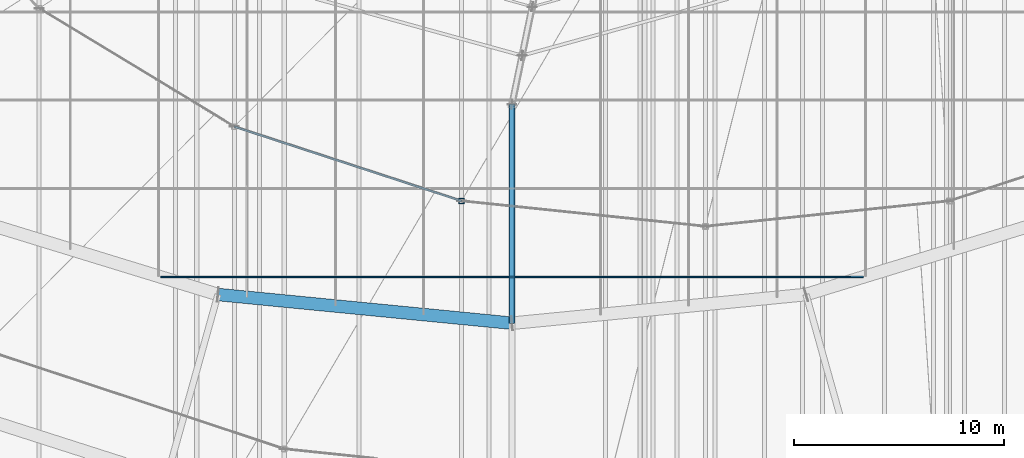
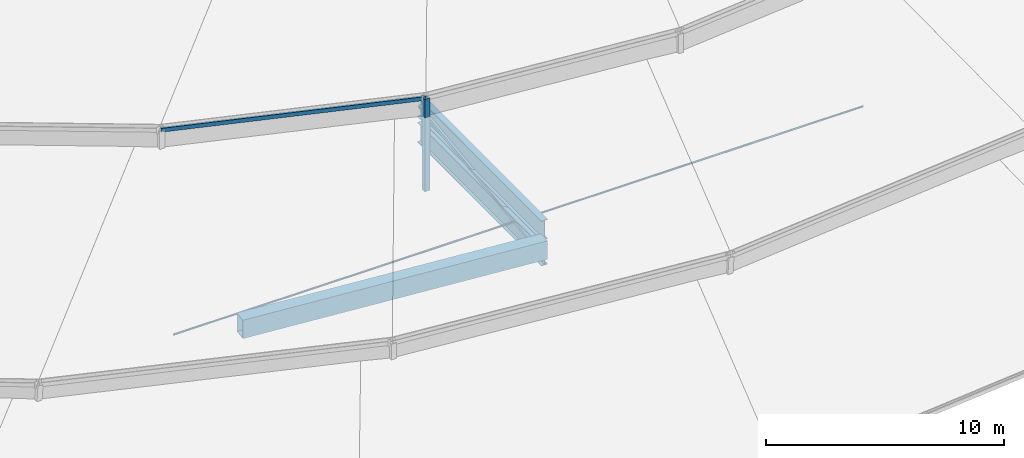
# One storey, part 34 of 184: 4 members, 3 beams.
"""IFC4 building model written with IfcOpenShell, lengths in metres."""

from ifc_helpers import new_model, si_unit, direction, frame, origin, origin_2d, place, context, subcontext, project, spatial, hollow_rectangle, circle, i_section, extrude, material, material_profile, profile_set, type_object, element, save


model = new_model("IFC4")

# Units and contexts
model_context = context("Model", 3, precision=1e-05, world=origin(), true_north=direction((0.0, 1.0)))
body_context = subcontext(model_context, "Body", "Model", "MODEL_VIEW")
ifc_project = project(units=[si_unit("LENGTHUNIT", "METRE"), si_unit("AREAUNIT", "SQUARE_METRE"), si_unit("VOLUMEUNIT", "CUBIC_METRE"), si_unit("PLANEANGLEUNIT", "RADIAN"), si_unit("MASSUNIT", "GRAM", prefix="KILO")], contexts=[model_context])

# Site, building, storey
site_placement = place(None, origin())
site = spatial("IfcSite", under=ifc_project, at=site_placement, CompositionType="ELEMENT")
building_placement = place(site_placement, origin())
building = spatial("IfcBuilding", under=site, at=building_placement, Name="Kalgoora Escarpment Arena", CompositionType="ELEMENT")
storey_placement = place(building_placement, frame((0.0, 0.0, 27.60009765625)))
storey = spatial("IfcBuildingStorey", under=building, at=storey_placement, Name="Roof Level", CompositionType="ELEMENT", Elevation=27.60009765625)

# Beams
ifc_material_1 = material(Name="Structural steel Grade 350 (350 MPa)", Category="steel")
ifc_material_profile_1 = material_profile(ifc_material_1, hollow_rectangle(XDim=0.60009765625, YDim=0.949951171875, WallThickness=0.02490234375, at=origin_2d()))
ifc_profile_set_1 = profile_set([ifc_material_profile_1], Name="Structural steel Grade 350 (350 MPa)")
beam_type_1 = type_object("IfcBeamType", Name="BM-RING-BOX950", PredefinedType="USERDEFINED", material=ifc_profile_set_1)
beam_placement = place(storey_placement, frame((78.423828125, 25.363037109375, -1.25), z_axis=(0.995277952766, -0.097065940158, 0.0), x_axis=(0.097065940158, 0.995277952766, 0.0)))
element("IfcBeam", 1, at=beam_placement, inside=storey, type_object=beam_type_1, Name="Bowl compression RING BEAM chord 18", ObjectType="GIRDER", PredefinedType="USERDEFINED", context=body_context, shape_type="SweptSolid", body=[
    extrude(hollow_rectangle(XDim=0.60009765625, YDim=0.949951171875, WallThickness=0.02490234375, at=origin_2d()), origin(), (0.0, 0.0, 1.0), 14.04248046875),
])
ifc_material_2 = material(Name="Structural steel Grade 350 (350 MPa)", Category="steel")
ifc_material_profile_2 = material_profile(ifc_material_2, i_section(OverallWidth=0.300048828125, OverallDepth=1.010009765625, WebThickness=0.01611328125, FlangeThickness=0.030029296875, at=origin_2d()))
ifc_profile_set_2 = profile_set([ifc_material_profile_2], Name="Structural steel Grade 350 (350 MPa)")
beam_type_2 = type_object("IfcBeamType", Name="BM-TRUSS-CHORD", PredefinedType="USERDEFINED", material=ifc_profile_set_2)
for number, where, z_axis, x_axis, name in (
    (2, (92.39990234375, 23.988037109375, -1.7001953125), (0.0, 0.999988474083, 0.004801218755), (-1.0, 0.0, 0.0), "Radial ROOF TRUSS spine 7 bottom chord 1"),
    (3, (92.39990234375, 23.988037109375, -0.400146484375), (0.0, 0.999988474083, 0.004801218755), (-1.0, 0.0, 0.0), "Radial ROOF TRUSS spine 7 top chord 1"),
):
    element("IfcBeam", number, at=place(storey_placement, frame(where, z_axis=z_axis, x_axis=x_axis)), inside=storey, type_object=beam_type_2, Name=name, ObjectType="GIRDER", PredefinedType="USERDEFINED", context=body_context, shape_type="SweptSolid", body=[
        extrude(i_section(OverallWidth=0.300048828125, OverallDepth=1.010009765625, WebThickness=0.01611328125, FlangeThickness=0.030029296875, at=origin_2d()), origin(), (0.0, 0.0, 1.0), 10.424072265625),
    ])

# Members
ifc_material_3 = material(Name="High-tensile spiral strand steel Grade 450 (350 MPa)", Category="steel")
ifc_material_profile_3 = material_profile(ifc_material_3, circle(Radius=0.035888671875, at=origin_2d()))
ifc_profile_set_3 = profile_set([ifc_material_profile_3], Name="High-tensile spiral strand steel Grade 450 (350 MPa)")
member_type_1 = type_object("IfcMemberType", Name="MEM-CABLE-72", PredefinedType="USERDEFINED", material=ifc_profile_set_3)
member_1_placement = place(storey_placement, frame((75.69580078125, 26.199951171875, -1.25), z_axis=(1.0, 0.0, 0.0), x_axis=(0.0, 1.0, 0.0)))
element("IfcMember", 4, at=member_1_placement, inside=storey, type_object=member_type_1, Name="Roof saddle hanging cable X-01", ObjectType="CABLE", PredefinedType="USERDEFINED", context=body_context, shape_type="SweptSolid", body=[
    extrude(circle(Radius=0.035888671875, at=origin_2d()), origin(), (0.0, 0.0, 1.0), 33.408447265625),
])
ifc_material_4 = material(Name="Structural steel C450 (450 MPa)", Category="steel")
ifc_material_profile_4 = material_profile(ifc_material_4, hollow_rectangle(XDim=0.25, YDim=0.25, WallThickness=0.012451171875, at=origin_2d()))
ifc_profile_set_4 = profile_set([ifc_material_profile_4], Name="Structural steel C450 (450 MPa)")
member_type_2 = type_object("IfcMemberType", Name="MEM-PETAL-POST", PredefinedType="POST", material=ifc_profile_set_4)
member_2_placement = place(storey_placement, frame((90.0048828125, 29.80615234375, -1.02001953125), z_axis=(0.0, 0.0, 1.0), x_axis=(1.0, 0.0, 0.0)))
element("IfcMember", 5, at=member_2_placement, inside=storey, type_object=member_type_2, Name="Petal RP3 vertical support post S18", PredefinedType="POST", context=body_context, shape_type="SweptSolid", body=[
    extrude(hollow_rectangle(XDim=0.25, YDim=0.25, WallThickness=0.012451171875, at=origin_2d()), origin(), (0.0, 0.0, 1.0), 4.724853515625),
])
ifc_material_5 = material(Name="Structural steel C350 (350 MPa)", Category="steel")
ifc_material_profile_5 = material_profile(ifc_material_5, hollow_rectangle(XDim=0.10009765625, YDim=0.199951171875, WallThickness=0.009033203125, at=origin_2d()))
ifc_profile_set_5 = profile_set([ifc_material_profile_5], Name="Structural steel C350 (350 MPa)")
member_type_3 = type_object("IfcMemberType", Name="MEM-PURLIN-RHS", PredefinedType="PURLIN", material=ifc_profile_set_5)
member_3_placement = place(storey_placement, frame((79.199951171875, 33.3427734375, 3.684814453125), z_axis=(0.950385124824, -0.311075737583, 0.0), x_axis=(0.311075737583, 0.950385124824, 0.0)))
element("IfcMember", 6, at=member_3_placement, inside=storey, type_object=member_type_3, Name="Petal RP3 eave support ring purlin S17", PredefinedType="PURLIN", context=body_context, shape_type="SweptSolid", body=[
    extrude(hollow_rectangle(XDim=0.10009765625, YDim=0.199951171875, WallThickness=0.009033203125, at=origin_2d()), origin(), (0.0, 0.0, 1.0), 11.368896484375),
])
ifc_material_6 = material(Name="Structural steel C350 (350 MPa)", Category="steel")
ifc_material_profile_6 = material_profile(ifc_material_6, hollow_rectangle(XDim=0.199951171875, YDim=0.199951171875, WallThickness=0.009033203125, at=origin_2d()))
ifc_profile_set_6 = profile_set([ifc_material_profile_6], Name="Structural steel C350 (350 MPa)")
member_type_4 = type_object("IfcMemberType", Name="MEM-TRUSS-DIAG", PredefinedType="BRACE", material=ifc_profile_set_6)
member_4_placement = place(storey_placement, frame((92.39990234375, 24.0, -1.7001953125), z_axis=(0.0, 0.991678636491, 0.128738036053), x_axis=(-0.141419587774, -0.12744418613, 0.981712014603)))
element("IfcMember", 7, at=member_4_placement, inside=storey, type_object=member_type_4, Name="Radial ROOF TRUSS spine 7 web diagonal 1", PredefinedType="BRACE", context=body_context, shape_type="SweptSolid", body=[
    extrude(hollow_rectangle(XDim=0.199951171875, YDim=0.199951171875, WallThickness=0.009033203125, at=origin_2d()), origin(), (0.0, 0.0, 1.0), 10.487060546875),
])

save(model, "model.ifc")
